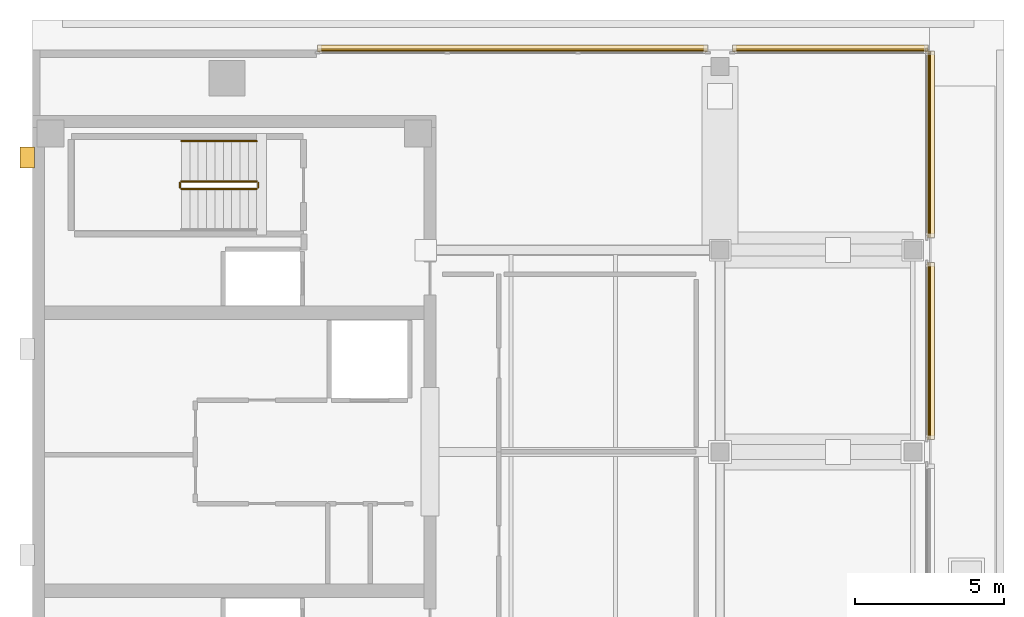
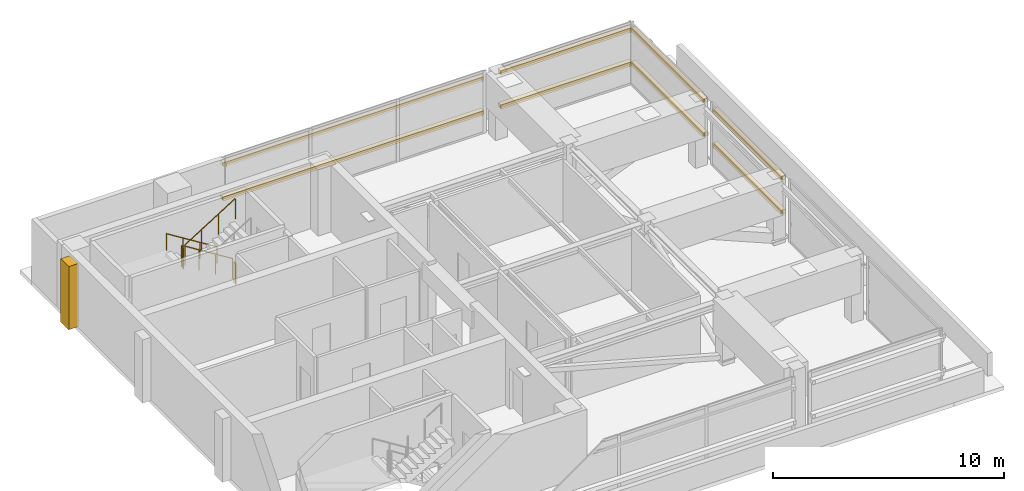
# One storey, part 9 of 9: 9 coverings, 8 shading devices, 5 railings.
"""IFC4 building model written with IfcOpenShell, lengths in metres."""

import ifcopenshell
import ifcopenshell.guid

model = None  # the IFC model being written
_history = None  # IfcOwnerHistory: only IFC2X3 demands one
_inside = {}  # id of a spatial element -> (the spatial element, [elements in it])
_under = {}  # id of a project, library or spatial element -> (it, [spatial elements below it])
_declared = {}  # id of a project -> (the project, [libraries it declares])
_typed = {}  # id of a type object -> (the type object, [elements of that type])
_made_of = {}  # id of a material, layer set ... -> (it, [elements and type objects made of it])


def new_model(schema):
    """Start an empty IFC model of exactly this schema.

    Asked for "IFC4X3", IfcOpenShell would pick the latest addendum, in which some entities
    have other attributes; the version numbers below select the first issue.
    IFC2X3 requires an IfcOwnerHistory on every rooted entity: one is made here for all.
    """
    global model, _history
    if schema == "IFC4X3":
        model = ifcopenshell.file(schema_version=(4, 3, 0, 0))
    else:
        model = ifcopenshell.file(schema=schema)
    _inside.clear()
    _under.clear()
    _declared.clear()
    _typed.clear()
    _made_of.clear()
    _history = None
    if model.schema == "IFC2X3":
        org = make("IfcOrganization", Name="unknown")
        user = make(
            "IfcPersonAndOrganization",
            ThePerson=make("IfcPerson", FamilyName="unknown"),
            TheOrganization=org,
        )
        app = make(
            "IfcApplication",
            ApplicationDeveloper=org,
            Version="unknown",
            ApplicationFullName="unknown",
            ApplicationIdentifier="unknown",
        )
        _history = make(
            "IfcOwnerHistory",
            OwningUser=user,
            OwningApplication=app,
            ChangeAction="ADDED",
            CreationDate=0,
        )
    return model


def make(cls, **values):
    """One entity of the class cls with the attributes given. An attribute that is None is left unset."""
    return model.create_entity(
        cls, **{name: value for name, value in values.items() if value is not None}
    )


def rooted(cls, **values):
    """An entity with a GlobalId (a new one), such as an element, a storey or a relation."""
    return make(cls, GlobalId=ifcopenshell.guid.new(), OwnerHistory=_history, **values)


def si_unit(unit_type, name, prefix=None):
    """IfcSIUnit, for example si_unit("LENGTHUNIT", "METRE", prefix="MILLI")."""
    return make("IfcSIUnit", UnitType=unit_type, Prefix=prefix, Name=name)


def assignment(units):
    """IfcUnitAssignment: the units of a project."""
    return None if units is None else make("IfcUnitAssignment", Units=units)


def point(xyz):
    """IfcCartesianPoint."""
    return None if xyz is None else make("IfcCartesianPoint", Coordinates=xyz)


def direction(xyz):
    """IfcDirection."""
    return None if xyz is None else make("IfcDirection", DirectionRatios=xyz)


def frame(location, z_axis=None, x_axis=None):
    """IfcAxis2Placement3D, a coordinate frame: its origin and axes. An axis left out is left unset."""
    return make(
        "IfcAxis2Placement3D",
        Location=point(location),
        Axis=direction(z_axis),
        RefDirection=direction(x_axis),
    )


def frame_2d(location, x_axis=None):
    """IfcAxis2Placement2D, a coordinate frame in the plane: its origin and x axis."""
    return make(
        "IfcAxis2Placement2D", Location=point(location), RefDirection=direction(x_axis)
    )


def origin():
    """The frame at (0, 0, 0) with its axes left unset."""
    return frame((0.0, 0.0, 0.0))


def origin_2d():
    """The frame at (0, 0) in the plane with its x axis left unset."""
    return frame_2d((0.0, 0.0))


def place(relative_to, where):
    """IfcLocalPlacement: puts the frame where relative to a parent placement (None: the world)."""
    return make(
        "IfcLocalPlacement", PlacementRelTo=relative_to, RelativePlacement=where
    )


def context(
    kind, dimensions, precision=None, world=None, true_north=None, identifier=None
):
    """IfcGeometricRepresentationContext, for example the 3D "Model" context."""
    return make(
        "IfcGeometricRepresentationContext",
        ContextIdentifier=identifier,
        ContextType=kind,
        CoordinateSpaceDimension=dimensions,
        Precision=precision,
        WorldCoordinateSystem=world,
        TrueNorth=true_north,
    )


def subcontext(parent, identifier, kind, view, scale=None):
    """IfcGeometricRepresentationSubContext, for example "Body" below "Model"."""
    return make(
        "IfcGeometricRepresentationSubContext",
        ContextIdentifier=identifier,
        ContextType=kind,
        ParentContext=parent,
        TargetScale=scale,
        TargetView=view,
    )


def project(units=None, contexts=None):
    """IfcProject with its units and contexts."""
    return rooted(
        "IfcProject",
        Name="project",
        RepresentationContexts=contexts,
        UnitsInContext=assignment(units),
    )


def spatial(cls, under=None, at=None, **own):
    """A site, building, storey or space (cls), placed at a placement, below another one or the project."""
    s = rooted(cls, ObjectPlacement=at, **own)
    if under is not None:
        _under.setdefault(under.id(), (under, []))[1].append(s)
    return s


def polyline(points):
    """IfcPolyline through the points."""
    return make("IfcPolyline", Points=[point(p) for p in points])


def profile(cls, at=None, kind="AREA", **sizes):
    """A parametric profile (cls). Its sizes go by their IFC names, for example OverallWidth=200.0."""
    return make(cls, ProfileType=kind, Position=at, **sizes)


def rectangle(**sizes):
    """IfcRectangleProfileDef."""
    return profile("IfcRectangleProfileDef", **sizes)


def circle(**sizes):
    """IfcCircleProfileDef."""
    return profile("IfcCircleProfileDef", **sizes)


def outline(outer, holes=None, kind="AREA"):
    """IfcArbitraryClosedProfileDef: a profile drawn as a closed curve; with holes, ...WithVoids."""
    if holes is None:
        return make("IfcArbitraryClosedProfileDef", ProfileType=kind, OuterCurve=outer)
    return make(
        "IfcArbitraryProfileDefWithVoids",
        ProfileType=kind,
        OuterCurve=outer,
        InnerCurves=holes,
    )


def extrude(swept, where, along, depth):
    """IfcExtrudedAreaSolid: the profile swept, set in the frame where, extruded along a direction by depth."""
    return make(
        "IfcExtrudedAreaSolid",
        SweptArea=swept,
        Position=where,
        ExtrudedDirection=direction(along),
        Depth=depth,
    )


def shape(context_of_items, identifier, shape_type, items):
    """IfcShapeRepresentation: the items that make up one representation, for example the "Body"."""
    return make(
        "IfcShapeRepresentation",
        ContextOfItems=context_of_items,
        RepresentationIdentifier=identifier,
        RepresentationType=shape_type,
        Items=items,
    )


def material(Name=None, Category=None):
    """IfcMaterial."""
    return make("IfcMaterial", Name=Name, Category=Category)


def layer(
    of_material, thickness, ventilated=None, Name=None, Category=None, Priority=None
):
    """IfcMaterialLayer: one layer of a wall or slab, of a material (None: an air gap)."""
    return make(
        "IfcMaterialLayer",
        Material=of_material,
        LayerThickness=thickness,
        IsVentilated=ventilated,
        Name=Name,
        Category=Category,
        Priority=Priority,
    )


def layer_set(layers, Name=None):
    """IfcMaterialLayerSet."""
    return make("IfcMaterialLayerSet", MaterialLayers=layers, LayerSetName=Name)


def material_profile(
    of_material, cross_section, Name=None, Category=None, Priority=None
):
    """IfcMaterialProfile: a cross section and its material."""
    return make(
        "IfcMaterialProfile",
        Name=Name,
        Material=of_material,
        Profile=cross_section,
        Priority=Priority,
        Category=Category,
    )


def profile_set(profiles, Name=None, composite=None):
    """IfcMaterialProfileSet."""
    return make(
        "IfcMaterialProfileSet",
        Name=Name,
        MaterialProfiles=profiles,
        CompositeProfile=composite,
    )


def made_of(thing, what):
    """Note that an element or type object is made of a material, layer set ...; save() writes the relation."""
    if what is not None:
        _made_of.setdefault(what.id(), (what, []))[1].append(thing)
    return thing


def type_object(cls, material=None, **own):
    """A type object (cls), such as IfcWallType, which elements share."""
    return made_of(rooted(cls, **own), material)


def element(
    cls,
    number,
    at=None,
    inside=None,
    cuts=None,
    type_object=None,
    material=None,
    context=None,
    identifier="Body",
    shape_type=None,
    held_by="IfcProductDefinitionShape",
    body=None,
    shapes=None,
    **own,
):
    """One element of the class cls, such as IfcWall. Its Tag is "e" and its number.

    at: its placement. inside: the storey or other place that contains it. cuts: it is an
    opening in that element (IfcRelVoidsElement). A single representation is given by context,
    identifier, shape_type and body (its items); several are given by shapes. held_by: the class
    of the entity that holds the representations. save() writes the other relations.
    """
    e = rooted(cls, Tag="e%d" % number, ObjectPlacement=at, **own)
    if body is not None:
        shapes = [shape(context, identifier, shape_type, body)]
    if shapes is not None:
        e.Representation = make(held_by, Representations=shapes)
    if inside is not None:
        _inside.setdefault(inside.id(), (inside, []))[1].append(e)
    if cuts is not None:
        rooted(
            "IfcRelVoidsElement", RelatingBuildingElement=cuts, RelatedOpeningElement=e
        )
    if type_object is not None:
        _typed.setdefault(type_object.id(), (type_object, []))[1].append(e)
    return made_of(e, material)


def aggregate(whole, parts):
    """IfcRelAggregates: a whole, such as a stair, and the parts it consists of."""
    return rooted("IfcRelAggregates", RelatingObject=whole, RelatedObjects=parts)


def save(model, path):
    """Write the relations noted so far, then the file.

    IfcRelAggregates (storeys below a building ...), IfcRelContainedInSpatialStructure (elements
    in a storey), IfcRelDefinesByType, IfcRelAssociatesMaterial and IfcRelDeclares: one each for
    every whole, place, type object, material and project.
    """
    for whole, parts in _under.values():
        aggregate(whole, parts)
    for where, things in _inside.values():
        rooted(
            "IfcRelContainedInSpatialStructure",
            RelatedElements=things,
            RelatingStructure=where,
        )
    for kind, things in _typed.values():
        rooted("IfcRelDefinesByType", RelatedObjects=things, RelatingType=kind)
    for what, things in _made_of.values():
        rooted("IfcRelAssociatesMaterial", RelatedObjects=things, RelatingMaterial=what)
    for by, libraries in _declared.values():
        rooted("IfcRelDeclares", RelatingContext=by, RelatedDefinitions=libraries)
    model.write(path)


model = new_model("IFC4")

# Units and contexts
model_context = context("Model", 3, precision=1e-05, world=origin(), true_north=direction((0.0, 1.0)))
body_context = subcontext(model_context, "Body", "Model", "MODEL_VIEW")
ifc_project = project(units=[si_unit("LENGTHUNIT", "METRE"), si_unit("AREAUNIT", "SQUARE_METRE"), si_unit("VOLUMEUNIT", "CUBIC_METRE"), si_unit("PLANEANGLEUNIT", "RADIAN"), si_unit("MASSUNIT", "GRAM", prefix="KILO")], contexts=[model_context])

# Site, building, storey
site_placement = place(None, origin())
site = spatial("IfcSite", under=ifc_project, at=site_placement, CompositionType="ELEMENT")
building_placement = place(site_placement, origin())
building = spatial("IfcBuilding", under=site, at=building_placement, Name="Kinhvarn Gate Tower", CompositionType="ELEMENT")
storey_placement = place(building_placement, frame((0.0, 0.0, 314.550048828125)))
storey = spatial("IfcBuildingStorey", under=building, at=storey_placement, Name="L83", CompositionType="ELEMENT", Elevation=314.550048828125)

# Coverings
ifc_material_1 = material(Name="Fired architectural terracotta", Category="masonry")
ifc_layer_1 = layer(ifc_material_1, 0.239990234375)
ifc_layer_set_1 = layer_set([ifc_layer_1], Name="Fired architectural terracotta")
covering_type_1 = type_object("IfcCoveringType", Name="COV-BAG-220", PredefinedType="CLADDING", material=ifc_layer_set_1)
for number, where, name in (
    (1, (0.0, 0.0, 0.93994140625), "Terracotta Horizontal Sunscreen Band TBG-220 (L83)"),
    (2, (0.0, 0.0, 2.739990234375), "Terracotta Horizontal Sunscreen Band TBG-220 (L83)"),
):
    element("IfcCovering", number, at=place(storey_placement, frame(where)), inside=storey, type_object=covering_type_1, Name=name, PredefinedType="CLADDING", context=body_context, shape_type="SweptSolid", body=[
        extrude(outline(polyline([(34.4599609375, 38.6298828125), (27.919921875, 38.6298828125), (27.919921875, 38.8701171875), (34.4599609375, 38.8701171875), (34.4599609375, 38.6298828125)])), origin(), (0.0, 0.0, 1.0), 0.219970703125),
    ])
for number, where, name in (
    (3, (0.0, 0.0, 0.93994140625), "Terracotta Horizontal Sunscreen Band TBG-220 (L83)"),
    (4, (0.0, 0.0, 2.739990234375), "Terracotta Horizontal Sunscreen Band TBG-220 (L83)"),
):
    element("IfcCovering", number, at=place(storey_placement, frame(where)), inside=storey, type_object=covering_type_1, Name=name, PredefinedType="CLADDING", context=body_context, shape_type="SweptSolid", body=[
        extrude(outline(polyline([(27.080078125, 38.6298828125), (14.0400390625, 38.6298828125), (14.0400390625, 38.8701171875), (27.080078125, 38.8701171875), (27.080078125, 38.6298828125)])), origin(), (0.0, 0.0, 1.0), 0.219970703125),
    ])
for number, where, name in (
    (5, (0.0, 0.0, 0.93994140625), "Terracotta Horizontal Sunscreen Band TBG-220 (L83)"),
    (6, (0.0, 0.0, 2.739990234375), "Terracotta Horizontal Sunscreen Band TBG-220 (L83)"),
):
    element("IfcCovering", number, at=place(storey_placement, frame(where)), inside=storey, type_object=covering_type_1, Name=name, PredefinedType="CLADDING", context=body_context, shape_type="SweptSolid", body=[
        extrude(outline(polyline([(34.429931640625, 25.669921875), (34.429931640625, 31.580078125), (34.669921875, 31.580078125), (34.669921875, 25.669921875), (34.429931640625, 25.669921875)])), origin(), (0.0, 0.0, 1.0), 0.219970703125),
    ])
for number, where, name in (
    (7, (0.0, 0.0, 0.93994140625), "Terracotta Horizontal Sunscreen Band TBG-220 (L83)"),
    (8, (0.0, 0.0, 2.739990234375), "Terracotta Horizontal Sunscreen Band TBG-220 (L83)"),
):
    element("IfcCovering", number, at=place(storey_placement, frame(where)), inside=storey, type_object=covering_type_1, Name=name, PredefinedType="CLADDING", context=body_context, shape_type="SweptSolid", body=[
        extrude(outline(polyline([(34.429931640625, 32.419921875), (34.429931640625, 38.659912109375), (34.669921875, 38.659912109375), (34.669921875, 32.419921875), (34.429931640625, 32.419921875)])), origin(), (0.0, 0.0, 1.0), 0.219970703125),
    ])
ifc_material_2 = material(Name="Precast white architectural concrete C40/50", Category="concrete")
ifc_layer_2 = layer(ifc_material_2, 0.47998046875)
ifc_layer_set_2 = layer_set([ifc_layer_2], Name="Precast white architectural concrete C40/50")
covering_type_2 = type_object("IfcCoveringType", Name="COV-RIB-450", PredefinedType="CLADDING", material=ifc_layer_set_2)
covering_placement = place(storey_placement, frame((0.0, 0.0, -0.02001953125)))
element("IfcCovering", 9, at=covering_placement, inside=storey, type_object=covering_type_2, Name="West Core Sculptural Concrete Relief Rib CRB-450 (L83)", PredefinedType="CLADDING", context=body_context, shape_type="SweptSolid", body=[
    extrude(outline(polyline([(4.080078125, 34.75), (4.56005859375, 34.75), (4.56005859375, 35.449951171875), (4.080078125, 35.449951171875), (4.080078125, 34.75)])), origin(), (0.0, 0.0, 1.0), 3.340087890625),
])

# Railings
ifc_material_3 = material(Name="Steel S355", Category="steel")
railing_type_1 = type_object("IfcRailingType", Name="RL-ST-GRD", PredefinedType="BALUSTRADE", material=ifc_material_3)
railing_1_placement = place(storey_placement, frame((12.0, 34.300048828125, 0.175048828125)))
element("IfcRailing", 10, at=railing_1_placement, inside=storey, type_object=railing_type_1, Name="L83 ST2 stair guard 1", PredefinedType="BALUSTRADE", context=body_context, shape_type="SweptSolid", body=[
    extrude(circle(Radius=0.02392578125, at=origin_2d()), frame((0.0, 0.0, 1.076171875), z_axis=(-0.848007534815, 0.0, 0.529984170421), x_axis=(0.0, -1.0, 0.0)), (0.0, 0.0, 1.0), 2.9716796875),
    extrude(circle(Radius=0.02099609375, at=origin_2d()), origin(), (0.0, 0.0, 1.0), 1.052001953125),
    extrude(circle(Radius=0.02099609375, at=origin_2d()), frame((-0.840087890625, 0.0, 0.52490234375)), (0.0, 0.0, 1.0), 1.052001953125),
    extrude(circle(Radius=0.02099609375, at=origin_2d()), frame((-1.679931640625, 0.0, 1.050048828125)), (0.0, 0.0, 1.0), 1.052001953125),
    extrude(circle(Radius=0.02099609375, at=origin_2d()), frame((-2.52001953125, 0.0, 1.574951171875)), (0.0, 0.0, 1.0), 1.052001953125),
])
railing_2_placement = place(storey_placement, frame((9.429931640625, 34.25, 1.75)))
element("IfcRailing", 11, at=railing_2_placement, inside=storey, type_object=railing_type_1, Name="L83 ST2 stair guard 2", PredefinedType="BALUSTRADE", context=body_context, shape_type="SweptSolid", body=[
    extrude(circle(Radius=0.02392578125, at=origin_2d()), frame((0.0, 0.0, 1.076171875), z_axis=(0.0, -1.0, 0.0), x_axis=(1.0, 0.0, 0.0)), (0.0, 0.0, 1.0), 0.14990234375),
    extrude(circle(Radius=0.02099609375, at=origin_2d()), origin(), (0.0, 0.0, 1.0), 1.052001953125),
    extrude(circle(Radius=0.02099609375, at=origin_2d()), frame((0.0, -0.14990234375, 0.0)), (0.0, 0.0, 1.0), 1.052001953125),
])
railing_3_placement = place(storey_placement, frame((9.47998046875, 34.050048828125, 1.925048828125)))
element("IfcRailing", 12, at=railing_3_placement, inside=storey, type_object=railing_type_1, Name="L83 ST2 stair guard 3", PredefinedType="BALUSTRADE", context=body_context, shape_type="SweptSolid", body=[
    extrude(circle(Radius=0.02392578125, at=origin_2d()), frame((0.0, 0.0, 1.076171875), z_axis=(0.848007534815, 0.0, 0.529984170421), x_axis=(0.0, 1.0, 0.0)), (0.0, 0.0, 1.0), 2.9716796875),
    extrude(circle(Radius=0.02099609375, at=origin_2d()), origin(), (0.0, 0.0, 1.0), 1.052001953125),
    extrude(circle(Radius=0.02099609375, at=origin_2d()), frame((0.840087890625, 0.0, 0.52490234375)), (0.0, 0.0, 1.0), 1.052001953125),
    extrude(circle(Radius=0.02099609375, at=origin_2d()), frame((1.679931640625, 0.0, 1.050048828125)), (0.0, 0.0, 1.0), 1.052001953125),
    extrude(circle(Radius=0.02099609375, at=origin_2d()), frame((2.52001953125, 0.0, 1.574951171875)), (0.0, 0.0, 1.0), 1.052001953125),
])
railing_4_placement = place(storey_placement, frame((12.050048828125, 34.25, 0.0)))
element("IfcRailing", 13, at=railing_4_placement, inside=storey, type_object=railing_type_1, Name="L83 ST2 stair guard 4", PredefinedType="BALUSTRADE", context=body_context, shape_type="SweptSolid", body=[
    extrude(circle(Radius=0.02392578125, at=origin_2d()), frame((0.0, 0.0, 1.076171875), z_axis=(0.0, -1.0, 0.0), x_axis=(1.0, 0.0, 0.0)), (0.0, 0.0, 1.0), 0.14990234375),
    extrude(circle(Radius=0.02099609375, at=origin_2d()), origin(), (0.0, 0.0, 1.0), 1.052001953125),
    extrude(circle(Radius=0.02099609375, at=origin_2d()), frame((0.0, -0.14990234375, 0.0)), (0.0, 0.0, 1.0), 1.052001953125),
])
railing_type_2 = type_object("IfcRailingType", Name="RL-ST-HND", PredefinedType="HANDRAIL", material=ifc_material_3)
railing_5_placement = place(storey_placement, frame((12.0, 35.64990234375, 0.175048828125)))
element("IfcRailing", 14, at=railing_5_placement, inside=storey, type_object=railing_type_2, Name="L83 ST2 stair handrail 1", PredefinedType="HANDRAIL", context=body_context, shape_type="SweptSolid", body=[
    extrude(circle(Radius=0.02392578125, at=origin_2d()), frame((0.0, 0.0, 0.8759765625), z_axis=(-0.848007534815, 0.0, 0.529984170421), x_axis=(0.0, -1.0, 0.0)), (0.0, 0.0, 1.0), 2.9716796875),
    extrude(circle(Radius=0.02099609375, at=origin_2d()), origin(), (0.0, 0.0, 1.0), 0.851806640625),
    extrude(circle(Radius=0.02099609375, at=origin_2d()), frame((-0.840087890625, 0.0, 0.52490234375)), (0.0, 0.0, 1.0), 0.851806640625),
    extrude(circle(Radius=0.02099609375, at=origin_2d()), frame((-1.679931640625, 0.0, 1.050048828125)), (0.0, 0.0, 1.0), 0.851806640625),
    extrude(circle(Radius=0.02099609375, at=origin_2d()), frame((-2.52001953125, 0.0, 1.574951171875)), (0.0, 0.0, 1.0), 0.851806640625),
])

# Shading devices
ifc_material_profile = material_profile(ifc_material_1, rectangle(XDim=0.050048828125, YDim=0.1201171875, at=origin_2d()), Name="TC 50x120")
ifc_profile_set = profile_set([ifc_material_profile], Name="Fired architectural terracotta")
shading_device_type = type_object("IfcShadingDeviceType", Name="SHD-BAG-140", PredefinedType="USERDEFINED", material=ifc_profile_set)
for number, where, z_axis, x_axis, name in (
    (15, (34.4599609375, 38.699951171875, 1.050048828125), (-1.0, 0.0, 0.0), (0.0, -1.0, 0.0), "Upper Tower Terracotta Baguette Screen Rod 50x120 mm (L83)"),
    (16, (34.4599609375, 38.699951171875, 2.849853515625), (-1.0, 0.0, 0.0), (0.0, -1.0, 0.0), "Upper Tower Terracotta Baguette Screen Rod 50x120 mm (L83)"),
):
    element("IfcShadingDevice", number, at=place(storey_placement, frame(where, z_axis=z_axis, x_axis=x_axis)), inside=storey, type_object=shading_device_type, Name=name, ObjectType="BAGUETTE", PredefinedType="USERDEFINED", context=body_context, shape_type="SweptSolid", body=[
        extrude(rectangle(XDim=0.050048828125, YDim=0.1201171875, at=origin_2d()), origin(), (0.0, 0.0, 1.0), 6.5400390625),
    ])
for number, where, z_axis, x_axis, name in (
    (17, (27.080078125, 38.699951171875, 1.050048828125), (-1.0, 0.0, 0.0), (0.0, -1.0, 0.0), "Upper Tower Terracotta Baguette Screen Rod 50x120 mm (L83)"),
    (18, (27.080078125, 38.699951171875, 2.849853515625), (-1.0, 0.0, 0.0), (0.0, -1.0, 0.0), "Upper Tower Terracotta Baguette Screen Rod 50x120 mm (L83)"),
):
    element("IfcShadingDevice", number, at=place(storey_placement, frame(where, z_axis=z_axis, x_axis=x_axis)), inside=storey, type_object=shading_device_type, Name=name, ObjectType="BAGUETTE", PredefinedType="USERDEFINED", context=body_context, shape_type="SweptSolid", body=[
        extrude(rectangle(XDim=0.050048828125, YDim=0.1201171875, at=origin_2d()), origin(), (0.0, 0.0, 1.0), 13.0400390625),
    ])
for number, where, z_axis, x_axis, name in (
    (19, (34.5, 25.669921875, 1.050048828125), (0.0, 1.0, 0.0), (-1.0, 0.0, 0.0), "Upper Tower Terracotta Baguette Screen Rod 50x120 mm (L83)"),
    (20, (34.5, 25.669921875, 2.849853515625), (0.0, 1.0, 0.0), (-1.0, 0.0, 0.0), "Upper Tower Terracotta Baguette Screen Rod 50x120 mm (L83)"),
):
    element("IfcShadingDevice", number, at=place(storey_placement, frame(where, z_axis=z_axis, x_axis=x_axis)), inside=storey, type_object=shading_device_type, Name=name, ObjectType="BAGUETTE", PredefinedType="USERDEFINED", context=body_context, shape_type="SweptSolid", body=[
        extrude(rectangle(XDim=0.050048828125, YDim=0.1201171875, at=origin_2d()), origin(), (0.0, 0.0, 1.0), 5.91015625),
    ])
for number, where, z_axis, x_axis, name in (
    (21, (34.5, 32.419921875, 1.050048828125), (0.0, 1.0, 0.0), (-1.0, 0.0, 0.0), "Upper Tower Terracotta Baguette Screen Rod 50x120 mm (L83)"),
    (22, (34.5, 32.419921875, 2.849853515625), (0.0, 1.0, 0.0), (-1.0, 0.0, 0.0), "Upper Tower Terracotta Baguette Screen Rod 50x120 mm (L83)"),
):
    element("IfcShadingDevice", number, at=place(storey_placement, frame(where, z_axis=z_axis, x_axis=x_axis)), inside=storey, type_object=shading_device_type, Name=name, ObjectType="BAGUETTE", PredefinedType="USERDEFINED", context=body_context, shape_type="SweptSolid", body=[
        extrude(rectangle(XDim=0.050048828125, YDim=0.1201171875, at=origin_2d()), origin(), (0.0, 0.0, 1.0), 6.239990234375),
    ])

save(model, "model.ifc")
